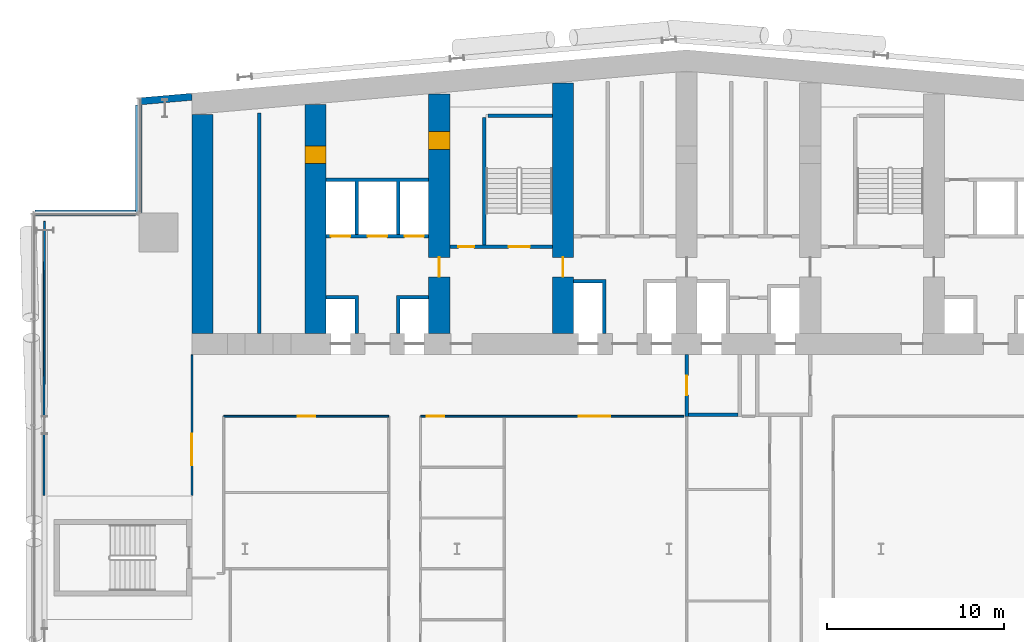
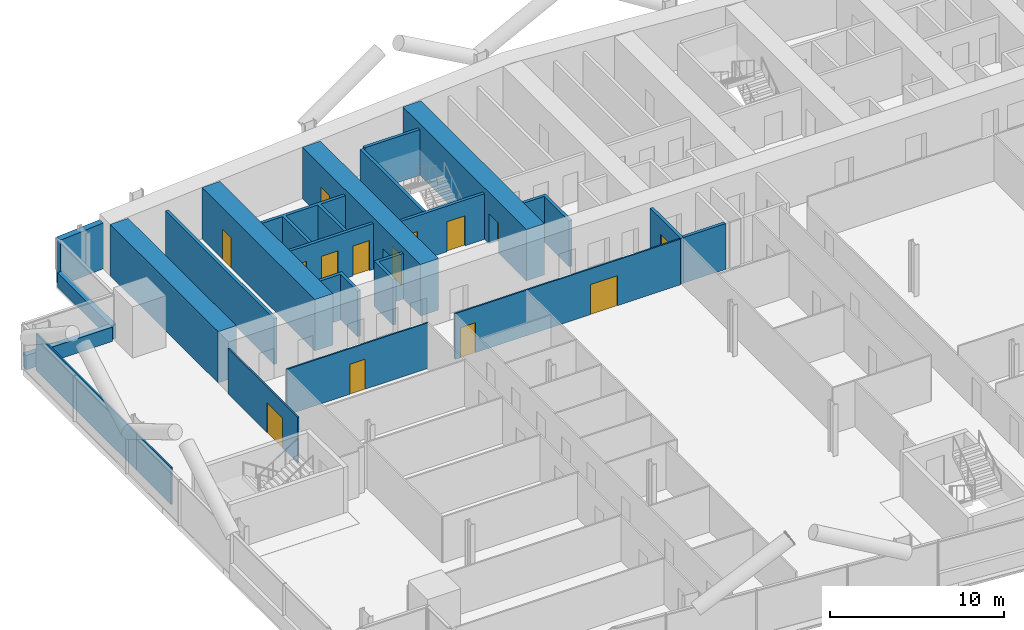
# One storey, part 15 of 27: 23 walls, 14 doors, 14 openings.
"""IFC4 building model written with IfcOpenShell, lengths in metres."""

from ifc_helpers import new_model, si_unit, direction, frame, frame_2d, origin, place, context, subcontext, project, spatial, polyline, rectangle, outline, extrude, material, layer, layer_set, type_object, element, fill, save


model = new_model("IFC4")

# Units and contexts
model_context = context("Model", 3, precision=1e-05, world=origin(), true_north=direction((0.0, 1.0)))
body_context = subcontext(model_context, "Body", "Model", "MODEL_VIEW")
ifc_project = project(units=[si_unit("LENGTHUNIT", "METRE"), si_unit("AREAUNIT", "SQUARE_METRE"), si_unit("VOLUMEUNIT", "CUBIC_METRE"), si_unit("PLANEANGLEUNIT", "RADIAN"), si_unit("MASSUNIT", "GRAM", prefix="KILO")], contexts=[model_context])

# Site, building, storey
site_placement = place(None, origin())
site = spatial("IfcSite", under=ifc_project, at=site_placement, CompositionType="ELEMENT")
building_placement = place(site_placement, origin())
building = spatial("IfcBuilding", under=site, at=building_placement, Name="Wharfspan Tower", CompositionType="ELEMENT")
storey_placement = place(building_placement, frame((0.0, 0.0, 73.899902)))
storey = spatial("IfcBuildingStorey", under=building, at=storey_placement, Name="L15", CompositionType="ELEMENT", Elevation=73.899902)

# Wall, opening, door
ifc_material_1 = material(Name="Gypsum board on steel studs", Category="steel")
ifc_layer_1 = layer(ifc_material_1, 0.100098)
ifc_layer_set_1 = layer_set([ifc_layer_1], Name="Gypsum board on steel studs")
wall_type_1 = type_object("IfcWallType", Name="Compartment wall 100 EI 60", PredefinedType="PARTITIONING", material=ifc_layer_set_1)
wall_1_placement = place(storey_placement, frame((9.0, 26.02002, 0.0), z_axis=(0.0, 0.0, 1.0), x_axis=(0.0, 1.0, 0.0)))
wall_1 = element("IfcWall", 1, at=wall_1_placement, inside=storey, type_object=wall_type_1, Name="Partition L15.w006", PredefinedType="PARTITIONING", context=body_context, shape_type="SweptSolid", body=[
    extrude(rectangle(XDim=7.959961, YDim=0.100098, at=frame_2d((3.97998, 0.0))), origin(), (0.0, 0.0, 1.0), 3.200195),
])
opening_1_placement = place(wall_1_placement, frame((1.699951, 0.0, 0.0)))
opening_1 = element("IfcOpeningElement", 2, at=opening_1_placement, cuts=wall_1, Name="Opening A4-28", PredefinedType="OPENING", context=body_context, shape_type="SweptSolid", body=[
    extrude(rectangle(XDim=1.800049, YDim=2.100098, at=frame_2d((0.899902, 1.050049))), frame((0.0, 0.060059, 0.0), z_axis=(0.0, -1.0, 0.0), x_axis=(1.0, 0.0, 0.0)), (0.0, 0.0, 1.0), 0.120117),
])
ifc_material_2 = material(Name="Fire-rated timber door leaf in steel frame", Category="steel")
door_type_1 = type_object("IfcDoorType", Name="Door 1800 FD30S Double", OperationType="DOUBLE_DOOR_SINGLE_SWING", PredefinedType="DOOR", material=ifc_material_2)
door_1_placement = place(opening_1_placement, origin())
door_1 = element("IfcDoor", 3, at=door_1_placement, inside=storey, type_object=door_type_1, Name="Door A4-28", OperationType="DOUBLE_DOOR_SINGLE_SWING", OverallHeight=2.100098, OverallWidth=1.800049, PredefinedType="DOOR", context=body_context, shape_type="SweptSolid", body=[
    extrude(rectangle(XDim=1.800049, YDim=2.100098, at=frame_2d((0.899902, 1.050049))), frame((0.0, 0.024902, 0.0), z_axis=(0.0, -1.0, 0.0), x_axis=(1.0, 0.0, 0.0)), (0.0, 0.0, 1.0), 0.050049),
])
fill(opening_1, door_1)

wall_2_placement = place(storey_placement, frame((10.800049, 30.5, 0.0), z_axis=(0.0, 0.0, 1.0), x_axis=(1.0, 0.0, 0.0)))
wall_2 = element("IfcWall", 4, at=wall_2_placement, inside=storey, type_object=wall_type_1, Name="Partition L15.w012", PredefinedType="PARTITIONING", context=body_context, shape_type="SweptSolid", body=[
    extrude(rectangle(XDim=9.339844, YDim=0.100098, at=frame_2d((4.669922, 0.0))), origin(), (0.0, 0.0, 1.0), 3.200195),
])
opening_2_placement = place(wall_2_placement, frame((4.185059, 0.0, 0.0)))
opening_2 = element("IfcOpeningElement", 5, at=opening_2_placement, cuts=wall_2, Name="Opening A4-30", PredefinedType="OPENING", context=body_context, shape_type="SweptSolid", body=[
    extrude(rectangle(XDim=1.0, YDim=2.100098, at=frame_2d((0.5, 1.050049))), frame((0.0, 0.060059, 0.0), z_axis=(0.0, -1.0, 0.0), x_axis=(1.0, 0.0, 0.0)), (0.0, 0.0, 1.0), 0.120117),
])
door_type_2 = type_object("IfcDoorType", Name="Door 1000 FD30S Right", OperationType="SINGLE_SWING_RIGHT", PredefinedType="DOOR", material=ifc_material_2)
door_2_placement = place(opening_2_placement, origin())
door_2 = element("IfcDoor", 6, at=door_2_placement, inside=storey, type_object=door_type_2, Name="Door A4-30", OperationType="SINGLE_SWING_RIGHT", OverallHeight=2.100098, OverallWidth=1.0, PredefinedType="DOOR", context=body_context, shape_type="SweptSolid", body=[
    extrude(rectangle(XDim=1.0, YDim=2.100098, at=frame_2d((0.5, 1.050049))), frame((0.0, 0.024902, 0.0), z_axis=(0.0, -1.0, 0.0), x_axis=(1.0, 0.0, 0.0)), (0.0, 0.0, 1.0), 0.050049),
])
fill(opening_2, door_2)

# Wall, openings, doors
wall_3_placement = place(storey_placement, frame((21.939941, 30.5, 0.0), z_axis=(0.0, 0.0, 1.0), x_axis=(1.0, 0.0, 0.0)))
wall_3 = element("IfcWall", 7, at=wall_3_placement, inside=storey, type_object=wall_type_1, Name="Partition L15.w026", PredefinedType="PARTITIONING", context=body_context, shape_type="SweptSolid", body=[
    extrude(rectangle(XDim=14.910156, YDim=0.100098, at=frame_2d((7.455078, 0.0))), origin(), (0.0, 0.0, 1.0), 3.200195),
])
opening_3_placement = place(wall_3_placement, frame((0.344971, 0.0, 0.0)))
opening_3 = element("IfcOpeningElement", 8, at=opening_3_placement, cuts=wall_3, Name="Opening A4-31", PredefinedType="OPENING", context=body_context, shape_type="SweptSolid", body=[
    extrude(rectangle(XDim=1.0, YDim=2.100098, at=frame_2d((0.5, 1.050049))), frame((0.0, 0.060059, 0.0), z_axis=(0.0, -1.0, 0.0), x_axis=(1.0, 0.0, 0.0)), (0.0, 0.0, 1.0), 0.120117),
])
opening_4_placement = place(wall_3_placement, frame((8.949951, 0.0, 0.0)))
opening_4 = element("IfcOpeningElement", 9, at=opening_4_placement, cuts=wall_3, Name="Opening A4-32", PredefinedType="OPENING", context=body_context, shape_type="SweptSolid", body=[
    extrude(rectangle(XDim=1.800049, YDim=2.100098, at=frame_2d((0.899902, 1.050049))), frame((0.0, 0.060059, 0.0), z_axis=(0.0, -1.0, 0.0), x_axis=(1.0, 0.0, 0.0)), (0.0, 0.0, 1.0), 0.120117),
])
door_type_3 = type_object("IfcDoorType", Name="Door 1000 FD30S Left", OperationType="SINGLE_SWING_LEFT", PredefinedType="DOOR", material=ifc_material_2)
door_3_placement = place(opening_3_placement, origin())
door_3 = element("IfcDoor", 10, at=door_3_placement, inside=storey, type_object=door_type_3, Name="Door A4-31", OperationType="SINGLE_SWING_LEFT", OverallHeight=2.100098, OverallWidth=1.0, PredefinedType="DOOR", context=body_context, shape_type="SweptSolid", body=[
    extrude(rectangle(XDim=1.0, YDim=2.100098, at=frame_2d((0.5, 1.050049))), frame((0.0, 0.024902, 0.0), z_axis=(0.0, -1.0, 0.0), x_axis=(1.0, 0.0, 0.0)), (0.0, 0.0, 1.0), 0.050049),
])
fill(opening_3, door_3)
door_4_placement = place(opening_4_placement, origin())
door_4 = element("IfcDoor", 11, at=door_4_placement, inside=storey, type_object=door_type_1, Name="Door A4-32", OperationType="DOUBLE_DOOR_SINGLE_SWING", OverallHeight=2.100098, OverallWidth=1.800049, PredefinedType="DOOR", context=body_context, shape_type="SweptSolid", body=[
    extrude(rectangle(XDim=1.800049, YDim=2.100098, at=frame_2d((0.899902, 1.050049))), frame((0.0, 0.024902, 0.0), z_axis=(0.0, -1.0, 0.0), x_axis=(1.0, 0.0, 0.0)), (0.0, 0.0, 1.0), 0.050049),
])
fill(opening_4, door_4)

# Walls
ifc_material_3 = material(Name="Calcium silicate masonry", Category="masonry")
ifc_layer_2 = layer(ifc_material_3, 0.199951)
ifc_layer_set_2 = layer_set([ifc_layer_2], Name="Calcium silicate masonry")
wall_type_2 = type_object("IfcWallType", Name="Core room wall 200", PredefinedType="PARTITIONING", material=ifc_layer_set_2)
wall_4_placement = place(storey_placement, frame((12.800049, 35.199951, 0.0), z_axis=(0.0, 0.0, 1.0), x_axis=(0.0, 1.0, 0.0)))
element("IfcWall", 12, at=wall_4_placement, inside=storey, type_object=wall_type_2, Name="sw:L15:RM0", PredefinedType="PARTITIONING", context=body_context, shape_type="SweptSolid", body=[
    extrude(rectangle(XDim=12.467773, YDim=0.199951, at=frame_2d((6.233887, 0.0))), origin(), (0.0, 0.0, 1.0), 3.200195),
])
ifc_material_4 = material(Name="Concrete C70/85", Category="concrete")
ifc_layer_3 = layer(ifc_material_4, 1.199951)
ifc_layer_set_3 = layer_set([ifc_layer_3], Name="Concrete C70/85")
wall_type_3 = type_object("IfcWallType", Name="Core wall 1200 C70/85", PredefinedType="SHEAR", material=ifc_layer_set_3)
wall_5_placement = place(storey_placement, frame((9.600098, 35.199951, 0.0), z_axis=(0.0, 0.0, 1.0), x_axis=(0.0, 1.0, 0.0)))
element("IfcWall", 13, at=wall_5_placement, inside=storey, type_object=wall_type_3, Name="Core cross wall EW0 L15", PredefinedType="SHEAR", context=body_context, shape_type="SweptSolid", body=[
    extrude(rectangle(XDim=12.382812, YDim=1.199951, at=frame_2d((6.191406, 0.0))), origin(), (0.0, 0.0, 1.0), 3.600098),
])

# Wall, opening, door
wall_6_placement = place(storey_placement, frame((16.0, 35.199951, 0.0), z_axis=(0.0, 0.0, 1.0), x_axis=(0.0, 1.0, 0.0)))
wall_6 = element("IfcWall", 14, at=wall_6_placement, inside=storey, type_object=wall_type_3, Name="Core cross wall X1 L15", PredefinedType="SHEAR", context=body_context, shape_type="SweptSolid", body=[
    extrude(rectangle(XDim=12.942871, YDim=1.199951, at=frame_2d((6.471436, 0.0))), origin(), (0.0, 0.0, 1.0), 3.600098),
])
opening_5_placement = place(wall_6_placement, frame((9.600098, 0.0, 0.0)))
opening_5 = element("IfcOpeningElement", 15, at=opening_5_placement, cuts=wall_6, Name="Opening CR15.1", PredefinedType="OPENING", context=body_context, shape_type="SweptSolid", body=[
    extrude(rectangle(XDim=1.0, YDim=2.100098, at=frame_2d((0.5, 1.050049))), frame((0.0, 0.609863, 0.0), z_axis=(0.0, -1.0, 0.0), x_axis=(1.0, 0.0, 0.0)), (0.0, 0.0, 1.0), 1.219971),
])
ifc_material_5 = material(Name="Steel door leaf", Category="steel")
door_type_4 = type_object("IfcDoorType", Name="Core room door 1000x2100", OperationType="SINGLE_SWING_LEFT", PredefinedType="DOOR", material=ifc_material_5)
door_5_placement = place(opening_5_placement, origin())
door_5 = element("IfcDoor", 16, at=door_5_placement, inside=storey, type_object=door_type_4, Name="xr:L15:1", OperationType="SINGLE_SWING_RIGHT", OverallHeight=2.100098, OverallWidth=1.0, PredefinedType="DOOR", context=body_context, shape_type="SweptSolid", body=[
    extrude(rectangle(XDim=1.0, YDim=2.100098, at=frame_2d((0.5, 1.050049))), frame((0.0, 0.599609, 0.0), z_axis=(0.0, -1.0, 0.0), x_axis=(1.0, 0.0, 0.0)), (0.0, 0.0, 1.0), 1.199463),
])
fill(opening_5, door_5)

# Wall, openings, doors
wall_7_placement = place(storey_placement, frame((23.0, 35.199951, 0.0), z_axis=(0.0, 0.0, 1.0), x_axis=(0.0, 1.0, 0.0)))
wall_7 = element("IfcWall", 17, at=wall_7_placement, inside=storey, type_object=wall_type_3, Name="Core cross wall X2 L15", PredefinedType="SHEAR", context=body_context, shape_type="SweptSolid", body=[
    extrude(rectangle(XDim=13.555176, YDim=1.199951, at=frame_2d((6.777588, 0.0))), origin(), (0.0, 0.0, 1.0), 3.600098),
])
opening_6_placement = place(wall_7_placement, frame((10.413818, 0.0, 0.0)))
opening_6 = element("IfcOpeningElement", 18, at=opening_6_placement, cuts=wall_7, Name="Opening CD15.1X", PredefinedType="OPENING", context=body_context, shape_type="SweptSolid", body=[
    extrude(rectangle(XDim=1.0, YDim=2.100098, at=frame_2d((0.5, 1.050049))), frame((0.0, 0.609863, 0.0), z_axis=(0.0, -1.0, 0.0), x_axis=(1.0, 0.0, 0.0)), (0.0, 0.0, 1.0), 1.219971),
])
opening_7_placement = place(wall_7_placement, frame((3.199951, 0.0, 0.0)))
opening_7 = element("IfcOpeningElement", 19, at=opening_7_placement, cuts=wall_7, Name="Opening CC15.2", PredefinedType="OPENING", context=body_context, shape_type="SweptSolid", body=[
    extrude(rectangle(XDim=1.100098, YDim=2.100098, at=frame_2d((0.550049, 1.050049))), frame((0.0, 0.609863, 0.0), z_axis=(0.0, -1.0, 0.0), x_axis=(1.0, 0.0, 0.0)), (0.0, 0.0, 1.0), 1.219971),
])
door_type_5 = type_object("IfcDoorType", Name="Core corridor door 1100x2100", OperationType="SINGLE_SWING_LEFT", PredefinedType="DOOR", material=ifc_material_5)
door_6_placement = place(opening_7_placement, origin())
door_6 = element("IfcDoor", 20, at=door_6_placement, inside=storey, type_object=door_type_5, Name="xd:L15:2", OperationType="SINGLE_SWING_RIGHT", OverallHeight=2.100098, OverallWidth=1.100098, PredefinedType="DOOR", context=body_context, shape_type="SweptSolid", body=[
    extrude(rectangle(XDim=1.100098, YDim=2.100098, at=frame_2d((0.550049, 1.050049))), frame((0.0, 0.024902, 0.0), z_axis=(0.0, -1.0, 0.0), x_axis=(1.0, 0.0, 0.0)), (0.0, 0.0, 1.0), 0.050049),
])
fill(opening_7, door_6)
door_7_placement = place(opening_6_placement, origin())
door_7 = element("IfcDoor", 21, at=door_7_placement, inside=storey, type_object=door_type_4, Name="d:L15:1:sx", OperationType="SINGLE_SWING_LEFT", OverallHeight=2.100098, OverallWidth=1.0, PredefinedType="DOOR", context=body_context, shape_type="SweptSolid", body=[
    extrude(rectangle(XDim=1.0, YDim=2.100098, at=frame_2d((0.5, 1.050049))), frame((0.0, 0.599609, 0.0), z_axis=(0.0, -1.0, 0.0), x_axis=(1.0, 0.0, 0.0)), (0.0, 0.0, 1.0), 1.199463),
])
fill(opening_6, door_7)

# Wall, opening, door
wall_8_placement = place(storey_placement, frame((30.0, 35.199951, 0.0), z_axis=(0.0, 0.0, 1.0), x_axis=(0.0, 1.0, 0.0)))
wall_8 = element("IfcWall", 22, at=wall_8_placement, inside=storey, type_object=wall_type_3, Name="Core cross wall X3 L15", PredefinedType="SHEAR", context=body_context, shape_type="SweptSolid", body=[
    extrude(rectangle(XDim=14.167725, YDim=1.199951, at=frame_2d((7.083984, 0.0))), origin(), (0.0, 0.0, 1.0), 3.600098),
])
opening_8_placement = place(wall_8_placement, frame((3.199951, 0.0, 0.0)))
opening_8 = element("IfcOpeningElement", 23, at=opening_8_placement, cuts=wall_8, Name="Opening CC15.3", PredefinedType="OPENING", context=body_context, shape_type="SweptSolid", body=[
    extrude(rectangle(XDim=1.100098, YDim=2.100098, at=frame_2d((0.550049, 1.050049))), frame((0.0, 0.609863, 0.0), z_axis=(0.0, -1.0, 0.0), x_axis=(1.0, 0.0, 0.0)), (0.0, 0.0, 1.0), 1.219971),
])
door_8_placement = place(opening_8_placement, origin())
door_8 = element("IfcDoor", 24, at=door_8_placement, inside=storey, type_object=door_type_5, Name="xd:L15:3", OperationType="SINGLE_SWING_LEFT", OverallHeight=2.100098, OverallWidth=1.100098, PredefinedType="DOOR", context=body_context, shape_type="SweptSolid", body=[
    extrude(rectangle(XDim=1.100098, YDim=2.100098, at=frame_2d((0.550049, 1.050049))), frame((0.0, 0.024902, 0.0), z_axis=(0.0, -1.0, 0.0), x_axis=(1.0, 0.0, 0.0)), (0.0, 0.0, 1.0), 0.050049),
])
fill(opening_8, door_8)

# Wall, openings, doors
ifc_material_6 = material(Name="Concrete C30/37", Category="concrete")
ifc_layer_4 = layer(ifc_material_6, 0.199951)
ifc_layer_set_4 = layer_set([ifc_layer_4], Name="Concrete C30/37")
wall_type_4 = type_object("IfcWallType", Name="Lift shaft wall 200", PredefinedType="PARTITIONING", material=ifc_layer_set_4)
wall_9_placement = place(storey_placement, frame((16.600098, 40.699951, 0.0), z_axis=(0.0, 0.0, 1.0), x_axis=(1.0, 0.0, 0.0)))
wall_9 = element("IfcWall", 25, at=wall_9_placement, inside=storey, type_object=wall_type_4, Name="sw:L15:RF1", PredefinedType="PARTITIONING", context=body_context, shape_type="SweptSolid", body=[
    extrude(rectangle(XDim=5.799805, YDim=0.199951, at=frame_2d((2.899902, 0.0))), origin(), (0.0, 0.0, 1.0), 3.200195),
])
opening_9_placement = place(wall_9_placement, frame((0.266602, 0.0, 0.0)))
opening_9 = element("IfcOpeningElement", 26, at=opening_9_placement, cuts=wall_9, Name="Opening LD.LA3.L15", PredefinedType="OPENING", context=body_context, shape_type="SweptSolid", body=[
    extrude(rectangle(XDim=1.100098, YDim=2.100098, at=frame_2d((0.550049, 1.050049))), frame((0.0, 0.109863, 0.0), z_axis=(0.0, -1.0, 0.0), x_axis=(1.0, 0.0, 0.0)), (0.0, 0.0, 1.0), 0.219971),
])
opening_10_placement = place(wall_9_placement, frame((2.350098, 0.0, 0.0)))
opening_10 = element("IfcOpeningElement", 27, at=opening_10_placement, cuts=wall_9, Name="Opening LD.LA4.L15", PredefinedType="OPENING", context=body_context, shape_type="SweptSolid", body=[
    extrude(rectangle(XDim=1.100098, YDim=2.100098, at=frame_2d((0.550049, 1.050049))), frame((0.0, 0.109863, 0.0), z_axis=(0.0, -1.0, 0.0), x_axis=(1.0, 0.0, 0.0)), (0.0, 0.0, 1.0), 0.219971),
])
opening_11_placement = place(wall_9_placement, frame((4.43335, 0.0, 0.0)))
opening_11 = element("IfcOpeningElement", 28, at=opening_11_placement, cuts=wall_9, Name="Opening LD.LA5.L15", PredefinedType="OPENING", context=body_context, shape_type="SweptSolid", body=[
    extrude(rectangle(XDim=1.100098, YDim=2.100098, at=frame_2d((0.550049, 1.050049))), frame((0.0, 0.109863, 0.0), z_axis=(0.0, -1.0, 0.0), x_axis=(1.0, 0.0, 0.0)), (0.0, 0.0, 1.0), 0.219971),
])
ifc_material_7 = material(Name="Stainless steel", Category="steel")
door_type_6 = type_object("IfcDoorType", Name="Lift landing door 1100x2100", OperationType="DOUBLE_DOOR_SLIDING", PredefinedType="DOOR", material=ifc_material_7)
door_9_placement = place(opening_9_placement, origin())
door_9 = element("IfcDoor", 29, at=door_9_placement, inside=storey, type_object=door_type_6, Name="Landing door LA3 L15", OperationType="DOUBLE_DOOR_SLIDING", OverallHeight=2.100098, OverallWidth=1.100098, PredefinedType="DOOR", context=body_context, shape_type="SweptSolid", body=[
    extrude(rectangle(XDim=1.100098, YDim=2.100098, at=frame_2d((0.550049, 1.050049))), frame((0.0, 0.024902, 0.0), z_axis=(0.0, -1.0, 0.0), x_axis=(1.0, 0.0, 0.0)), (0.0, 0.0, 1.0), 0.050049),
])
fill(opening_9, door_9)
door_10_placement = place(opening_10_placement, origin())
door_10 = element("IfcDoor", 30, at=door_10_placement, inside=storey, type_object=door_type_6, Name="Landing door LA4 L15", OperationType="DOUBLE_DOOR_SLIDING", OverallHeight=2.100098, OverallWidth=1.100098, PredefinedType="DOOR", context=body_context, shape_type="SweptSolid", body=[
    extrude(rectangle(XDim=1.100098, YDim=2.100098, at=frame_2d((0.550049, 1.050049))), frame((0.0, 0.024902, 0.0), z_axis=(0.0, -1.0, 0.0), x_axis=(1.0, 0.0, 0.0)), (0.0, 0.0, 1.0), 0.050049),
])
fill(opening_10, door_10)
door_11_placement = place(opening_11_placement, origin())
door_11 = element("IfcDoor", 31, at=door_11_placement, inside=storey, type_object=door_type_6, Name="Landing door LA5 L15", OperationType="DOUBLE_DOOR_SLIDING", OverallHeight=2.100098, OverallWidth=1.100098, PredefinedType="DOOR", context=body_context, shape_type="SweptSolid", body=[
    extrude(rectangle(XDim=1.100098, YDim=2.100098, at=frame_2d((0.550049, 1.050049))), frame((0.0, 0.024902, 0.0), z_axis=(0.0, -1.0, 0.0), x_axis=(1.0, 0.0, 0.0)), (0.0, 0.0, 1.0), 0.050049),
])
fill(opening_11, door_11)

# Walls
wall_10_placement = place(storey_placement, origin())
element("IfcWall", 32, at=wall_10_placement, inside=storey, type_object=wall_type_4, Name="sw:L15:FM1.0", PredefinedType="PARTITIONING", context=body_context, shape_type="SweptSolid", body=[
    extrude(outline(polyline([(18.233398, 37.149902), (16.600098, 37.149902), (16.600098, 37.350098), (18.233398, 37.350098), (18.43335, 37.350098), (18.43335, 35.199951), (18.233398, 35.199951), (18.233398, 37.149902)])), origin(), (0.0, 0.0, 1.0), 3.200195),
])
wall_11_placement = place(storey_placement, origin())
element("IfcWall", 33, at=wall_11_placement, inside=storey, type_object=wall_type_4, Name="sw:L15:FM1.1", PredefinedType="PARTITIONING", context=body_context, shape_type="SweptSolid", body=[
    extrude(outline(polyline([(20.56665, 37.350098), (20.766602, 37.350098), (22.399902, 37.350098), (22.399902, 37.149902), (20.766602, 37.149902), (20.766602, 35.199951), (20.56665, 35.199951), (20.56665, 37.350098)])), origin(), (0.0, 0.0, 1.0), 3.200195),
])
wall_12_placement = place(storey_placement, origin())
element("IfcWall", 34, at=wall_12_placement, inside=storey, type_object=wall_type_4, Name="sw:L15:RM1.0", PredefinedType="PARTITIONING", context=body_context, shape_type="SweptSolid", body=[
    extrude(outline(polyline([(18.43335, 40.800049), (18.233398, 40.800049), (18.233398, 43.800049), (16.600098, 43.800049), (16.600098, 44.0), (22.399902, 44.0), (22.399902, 43.800049), (20.766602, 43.800049), (20.766602, 40.800049), (20.56665, 40.800049), (20.56665, 43.800049), (18.43335, 43.800049), (18.43335, 40.800049)])), origin(), (0.0, 0.0, 1.0), 3.200195),
])
wall_13_placement = place(storey_placement, origin())
element("IfcWall", 35, at=wall_13_placement, inside=storey, type_object=wall_type_4, Name="sw:L15:FM3.0", PredefinedType="PARTITIONING", context=body_context, shape_type="SweptSolid", body=[
    extrude(outline(polyline([(32.233398, 38.050049), (30.600098, 38.050049), (30.600098, 38.25), (32.233398, 38.25), (32.43335, 38.25), (32.43335, 35.199951), (32.233398, 35.199951), (32.233398, 38.050049)])), origin(), (0.0, 0.0, 1.0), 3.200195),
])

# Wall, opening, door
ifc_layer_5 = layer(ifc_material_6, 0.199951)
ifc_layer_set_5 = layer_set([ifc_layer_5], Name="Concrete C30/37")
wall_type_5 = type_object("IfcWallType", Name="Lobby wall 200", PredefinedType="PARTITIONING", material=ifc_layer_set_5)
wall_14_placement = place(storey_placement, frame((37.0, 30.5, 0.0), z_axis=(0.0, 0.0, 1.0), x_axis=(0.0, 1.0, 0.0)))
wall_14 = element("IfcWall", 36, at=wall_14_placement, inside=storey, type_object=wall_type_5, Name="sw:L15:FLFF1W", PredefinedType="PARTITIONING", context=body_context, shape_type="SweptSolid", body=[
    extrude(rectangle(XDim=3.5, YDim=0.199951, at=frame_2d((1.75, 0.0))), origin(), (0.0, 0.0, 1.0), 3.200195),
])
opening_12_placement = place(wall_14_placement, frame((1.199951, 0.0, 0.0)))
opening_12 = element("IfcOpeningElement", 37, at=opening_12_placement, cuts=wall_14, Name="Opening FL.FF1.L15", PredefinedType="OPENING", context=body_context, shape_type="SweptSolid", body=[
    extrude(rectangle(XDim=1.100098, YDim=2.100098, at=frame_2d((0.550049, 1.050049))), frame((0.0, 0.109863, 0.0), z_axis=(0.0, -1.0, 0.0), x_axis=(1.0, 0.0, 0.0)), (0.0, 0.0, 1.0), 0.219971),
])
door_type_7 = type_object("IfcDoorType", Name="Firefighting lobby door 1100x2100", OperationType="SINGLE_SWING_LEFT", PredefinedType="DOOR", material=ifc_material_5)
door_12_placement = place(opening_12_placement, origin())
door_12 = element("IfcDoor", 38, at=door_12_placement, inside=storey, type_object=door_type_7, Name="fd:L15:FF1", OperationType="SINGLE_SWING_LEFT", OverallHeight=2.100098, OverallWidth=1.100098, PredefinedType="DOOR", context=body_context, shape_type="SweptSolid", body=[
    extrude(rectangle(XDim=1.100098, YDim=2.100098, at=frame_2d((0.550049, 1.050049))), frame((0.0, 0.024902, 0.0), z_axis=(0.0, -1.0, 0.0), x_axis=(1.0, 0.0, 0.0)), (0.0, 0.0, 1.0), 0.050049),
])
fill(opening_12, door_12)

# Walls
wall_15_placement = place(storey_placement, frame((37.100098, 30.600098, 0.0), z_axis=(0.0, 0.0, 1.0), x_axis=(1.0, 0.0, 0.0)))
element("IfcWall", 39, at=wall_15_placement, inside=storey, type_object=wall_type_5, Name="sw:L15:FLFF1F", PredefinedType="PARTITIONING", context=body_context, shape_type="SweptSolid", body=[
    extrude(rectangle(XDim=2.799805, YDim=0.199951, at=frame_2d((1.399902, 0.0))), origin(), (0.0, 0.0, 1.0), 3.200195),
])
ifc_layer_6 = layer(ifc_material_1, 0.100098)
ifc_layer_set_6 = layer_set([ifc_layer_6], Name="Gypsum board on steel studs")
wall_type_6 = type_object("IfcWallType", Name="Partition 100", PredefinedType="PARTITIONING", material=ifc_layer_set_6)
wall_16_placement = place(storey_placement, frame((0.629883, 26.02002, 0.0), z_axis=(0.0, 0.0, 1.0), x_axis=(0.0, 1.0, 0.0)))
element("IfcWall", 40, at=wall_16_placement, inside=storey, type_object=wall_type_6, Name="Partition L15.w002", PredefinedType="PARTITIONING", context=body_context, shape_type="SweptSolid", body=[
    extrude(rectangle(XDim=3.97998, YDim=0.100098, at=frame_2d((1.98999, 0.0))), origin(), (0.0, 0.0, 1.0), 2.580078),
])
wall_17_placement = place(storey_placement, frame((0.629883, 30.0, 0.0), z_axis=(0.0, 0.0, 1.0), x_axis=(0.00218, 0.999994, 0.0)))
element("IfcWall", 41, at=wall_17_placement, inside=storey, type_object=wall_type_6, Name="Partition L15.w003", PredefinedType="PARTITIONING", context=body_context, shape_type="SweptSolid", body=[
    extrude(rectangle(XDim=11.534912, YDim=0.100098, at=frame_2d((5.767578, 0.0))), origin(), (0.0, 0.0, 1.0), 2.580078),
])
ifc_material_8 = material(Name="Concrete C40/50", Category="concrete")
ifc_layer_7 = layer(ifc_material_8, 0.350098)
ifc_layer_set_7 = layer_set([ifc_layer_7], Name="Concrete C40/50")
wall_type_7 = type_object("IfcWallType", Name="SPANDREL EXPOSED CONCRETE 350", PredefinedType="SOLIDWALL", material=ifc_layer_set_7)
wall_18_placement = place(storey_placement, frame((5.995117, 48.126465, 0.0), z_axis=(0.0, 0.0, 1.0), x_axis=(0.0, -1.0, 0.0)))
element("IfcWall", 42, at=wall_18_placement, inside=storey, type_object=wall_type_7, Name="Spandrel upstand L15 NRW-V", PredefinedType="SOLIDWALL", context=body_context, shape_type="SweptSolid", body=[
    extrude(rectangle(XDim=6.126465, YDim=0.350098, at=frame_2d((3.063232, 0.0))), origin(), (0.0, 0.0, 1.0), 1.0),
])
wall_19_placement = place(storey_placement, frame((5.820068, 42.004883, 0.0), z_axis=(0.0, 0.0, 1.0), x_axis=(-1.0, 0.0, 0.0)))
element("IfcWall", 43, at=wall_19_placement, inside=storey, type_object=wall_type_7, Name="Spandrel upstand L15 NRW-H", PredefinedType="SOLIDWALL", context=body_context, shape_type="SweptSolid", body=[
    extrude(rectangle(XDim=5.699951, YDim=0.350098, at=frame_2d((2.850098, 0.0))), origin(), (0.0, 0.0, 1.0), 1.0),
])

# Wall, openings, doors
ifc_layer_8 = layer(ifc_material_8, 0.199951)
ifc_layer_set_8 = layer_set([ifc_layer_8], Name="Concrete C40/50")
wall_type_8 = type_object("IfcWallType", Name="Stair shaft wall 200", PredefinedType="SHEAR", material=ifc_layer_set_8)
wall_20_placement = place(storey_placement, frame((23.600098, 40.100098, 0.0), z_axis=(0.0, 0.0, 1.0), x_axis=(1.0, 0.0, 0.0)))
wall_20 = element("IfcWall", 44, at=wall_20_placement, inside=storey, type_object=wall_type_8, Name="ST1 stair enclosure wall L15", PredefinedType="SHEAR", context=body_context, shape_type="SweptSolid", body=[
    extrude(rectangle(XDim=5.799805, YDim=0.199951, at=frame_2d((2.899902, 0.0))), origin(), (0.0, 0.0, 1.0), 3.200195),
])
opening_13_placement = place(wall_20_placement, frame((3.324951, 0.0, 0.0)))
opening_13 = element("IfcOpeningElement", 45, at=opening_13_placement, cuts=wall_20, Name="Opening SD2.L15", PredefinedType="OPENING", context=body_context, shape_type="SweptSolid", body=[
    extrude(rectangle(XDim=1.199951, YDim=2.100098, at=frame_2d((0.600098, 1.050049))), frame((0.0, 0.109863, 0.0), z_axis=(0.0, -1.0, 0.0), x_axis=(1.0, 0.0, 0.0)), (0.0, 0.0, 1.0), 0.219971),
])
opening_14_placement = place(wall_20_placement, frame((0.475098, 0.0, 0.0)))
opening_14 = element("IfcOpeningElement", 46, at=opening_14_placement, cuts=wall_20, Name="Opening CD15.2R", PredefinedType="OPENING", context=body_context, shape_type="SweptSolid", body=[
    extrude(rectangle(XDim=0.899902, YDim=2.100098, at=frame_2d((0.449951, 1.050049))), frame((0.0, 0.109863, 0.0), z_axis=(0.0, -1.0, 0.0), x_axis=(1.0, 0.0, 0.0)), (0.0, 0.0, 1.0), 0.219971),
])
door_13_placement = place(opening_14_placement, origin())
door_13 = element("IfcDoor", 47, at=door_13_placement, inside=storey, type_object=door_type_4, Name="rk:L15:2", OperationType="SINGLE_SWING_LEFT", OverallHeight=2.100098, OverallWidth=0.899902, PredefinedType="DOOR", context=body_context, shape_type="SweptSolid", body=[
    extrude(rectangle(XDim=0.899902, YDim=2.100098, at=frame_2d((0.449951, 1.050049))), frame((0.0, 0.024902, 0.0), z_axis=(0.0, -1.0, 0.0), x_axis=(1.0, 0.0, 0.0)), (0.0, 0.0, 1.0), 0.050049),
])
fill(opening_14, door_13)
door_type_8 = type_object("IfcDoorType", Name="Stair door 1200x2100", OperationType="SINGLE_SWING_LEFT", PredefinedType="DOOR", material=ifc_material_5)
door_14_placement = place(opening_13_placement, origin())
door_14 = element("IfcDoor", 48, at=door_14_placement, inside=storey, type_object=door_type_8, Name="sd:L15:2", OperationType="SINGLE_SWING_RIGHT", OverallHeight=2.100098, OverallWidth=1.199951, PredefinedType="DOOR", context=body_context, shape_type="SweptSolid", body=[
    extrude(rectangle(XDim=1.199951, YDim=2.100098, at=frame_2d((0.600098, 1.050049))), frame((0.0, 0.024902, 0.0), z_axis=(0.0, -1.0, 0.0), x_axis=(1.0, 0.0, 0.0)), (0.0, 0.0, 1.0), 0.050049),
])
fill(opening_13, door_14)

# Walls
wall_21_placement = place(storey_placement, frame((25.550049, 40.199951, 0.0), z_axis=(0.0, 0.0, 1.0), x_axis=(0.0, 1.0, 0.0)))
element("IfcWall", 49, at=wall_21_placement, inside=storey, type_object=wall_type_8, Name="ST1 stair enclosure wall L15", PredefinedType="SHEAR", context=body_context, shape_type="SweptSolid", body=[
    extrude(rectangle(XDim=7.199951, YDim=0.199951, at=frame_2d((3.600098, 0.0))), origin(), (0.0, 0.0, 1.0), 3.200195),
])
wall_22_placement = place(storey_placement, frame((25.75, 47.5, 0.0), z_axis=(0.0, 0.0, 1.0), x_axis=(1.0, 0.0, 0.0)))
element("IfcWall", 50, at=wall_22_placement, inside=storey, type_object=wall_type_8, Name="ST1 stair enclosure wall L15", PredefinedType="SHEAR", context=body_context, shape_type="SweptSolid", body=[
    extrude(rectangle(XDim=3.649902, YDim=0.199951, at=frame_2d((1.824951, 0.0))), origin(), (0.0, 0.0, 1.0), 3.200195),
])
ifc_layer_9 = layer(ifc_material_8, 0.399902)
ifc_layer_set_9 = layer_set([ifc_layer_9], Name="Concrete C40/50")
wall_type_9 = type_object("IfcWallType", Name="WALL EXPOSED CONCRETE 400", PredefinedType="SOLIDWALL", material=ifc_layer_set_9)
wall_23_placement = place(storey_placement, frame((9.0, 48.58667, 0.0), z_axis=(0.0, 0.0, 1.0), x_axis=(-0.996194, -0.087168, 0.0)))
element("IfcWall", 51, at=wall_23_placement, inside=storey, type_object=wall_type_9, Name="Rear wall N1", PredefinedType="SOLIDWALL", context=body_context, shape_type="SweptSolid", body=[
    extrude(rectangle(XDim=2.994141, YDim=0.399902, at=frame_2d((1.49707, 0.0))), origin(), (0.0, 0.0, 1.0), 3.200195),
])

save(model, "model.ifc")
